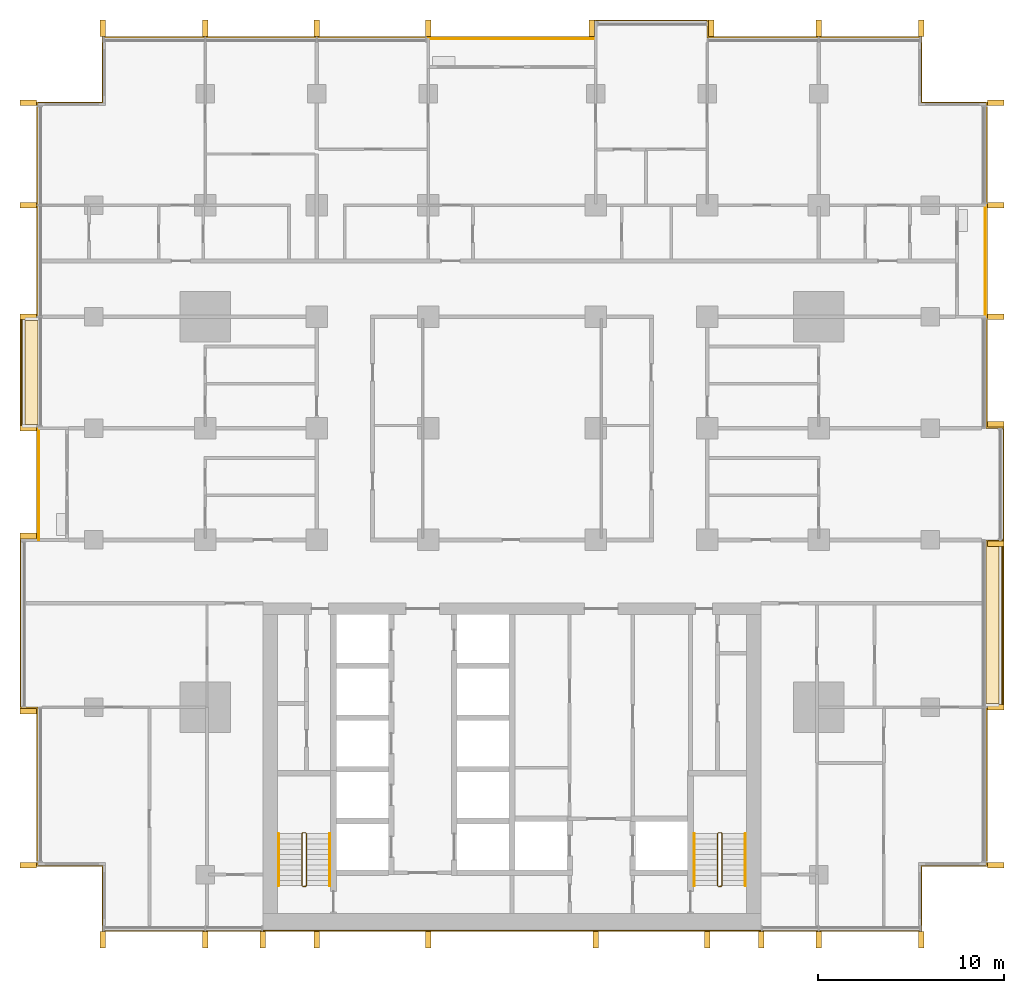
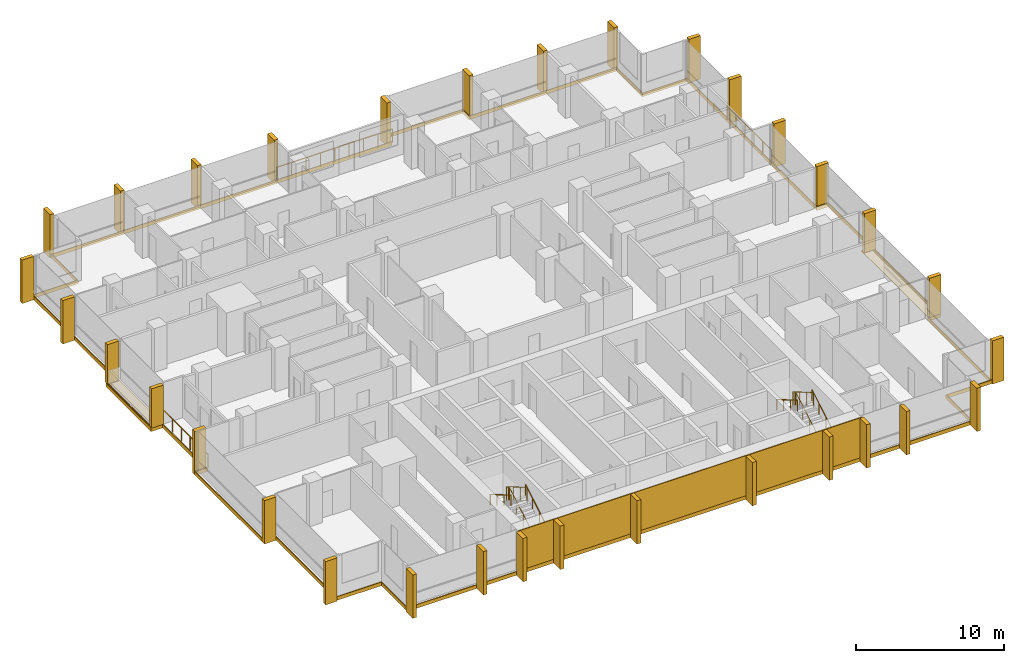
# One storey, part 17 of 17: 32 shading devices, 10 coverings, 9 railings.
"""IFC4 building model written with IfcOpenShell, lengths in metres."""

import ifcopenshell
import ifcopenshell.guid

model = None  # the IFC model being written
_history = None  # IfcOwnerHistory: only IFC2X3 demands one
_inside = {}  # id of a spatial element -> (the spatial element, [elements in it])
_under = {}  # id of a project, library or spatial element -> (it, [spatial elements below it])
_declared = {}  # id of a project -> (the project, [libraries it declares])
_typed = {}  # id of a type object -> (the type object, [elements of that type])
_made_of = {}  # id of a material, layer set ... -> (it, [elements and type objects made of it])


def new_model(schema):
    """Start an empty IFC model of exactly this schema.

    Asked for "IFC4X3", IfcOpenShell would pick the latest addendum, in which some entities
    have other attributes; the version numbers below select the first issue.
    IFC2X3 requires an IfcOwnerHistory on every rooted entity: one is made here for all.
    """
    global model, _history
    if schema == "IFC4X3":
        model = ifcopenshell.file(schema_version=(4, 3, 0, 0))
    else:
        model = ifcopenshell.file(schema=schema)
    _inside.clear()
    _under.clear()
    _declared.clear()
    _typed.clear()
    _made_of.clear()
    _history = None
    if model.schema == "IFC2X3":
        org = make("IfcOrganization", Name="unknown")
        user = make(
            "IfcPersonAndOrganization",
            ThePerson=make("IfcPerson", FamilyName="unknown"),
            TheOrganization=org,
        )
        app = make(
            "IfcApplication",
            ApplicationDeveloper=org,
            Version="unknown",
            ApplicationFullName="unknown",
            ApplicationIdentifier="unknown",
        )
        _history = make(
            "IfcOwnerHistory",
            OwningUser=user,
            OwningApplication=app,
            ChangeAction="ADDED",
            CreationDate=0,
        )
    return model


def make(cls, **values):
    """One entity of the class cls with the attributes given. An attribute that is None is left unset."""
    return model.create_entity(
        cls, **{name: value for name, value in values.items() if value is not None}
    )


def rooted(cls, **values):
    """An entity with a GlobalId (a new one), such as an element, a storey or a relation."""
    return make(cls, GlobalId=ifcopenshell.guid.new(), OwnerHistory=_history, **values)


def si_unit(unit_type, name, prefix=None):
    """IfcSIUnit, for example si_unit("LENGTHUNIT", "METRE", prefix="MILLI")."""
    return make("IfcSIUnit", UnitType=unit_type, Prefix=prefix, Name=name)


def assignment(units):
    """IfcUnitAssignment: the units of a project."""
    return None if units is None else make("IfcUnitAssignment", Units=units)


def point(xyz):
    """IfcCartesianPoint."""
    return None if xyz is None else make("IfcCartesianPoint", Coordinates=xyz)


def direction(xyz):
    """IfcDirection."""
    return None if xyz is None else make("IfcDirection", DirectionRatios=xyz)


def frame(location, z_axis=None, x_axis=None):
    """IfcAxis2Placement3D, a coordinate frame: its origin and axes. An axis left out is left unset."""
    return make(
        "IfcAxis2Placement3D",
        Location=point(location),
        Axis=direction(z_axis),
        RefDirection=direction(x_axis),
    )


def frame_2d(location, x_axis=None):
    """IfcAxis2Placement2D, a coordinate frame in the plane: its origin and x axis."""
    return make(
        "IfcAxis2Placement2D", Location=point(location), RefDirection=direction(x_axis)
    )


def origin():
    """The frame at (0, 0, 0) with its axes left unset."""
    return frame((0.0, 0.0, 0.0))


def origin_2d():
    """The frame at (0, 0) in the plane with its x axis left unset."""
    return frame_2d((0.0, 0.0))


def place(relative_to, where):
    """IfcLocalPlacement: puts the frame where relative to a parent placement (None: the world)."""
    return make(
        "IfcLocalPlacement", PlacementRelTo=relative_to, RelativePlacement=where
    )


def context(
    kind, dimensions, precision=None, world=None, true_north=None, identifier=None
):
    """IfcGeometricRepresentationContext, for example the 3D "Model" context."""
    return make(
        "IfcGeometricRepresentationContext",
        ContextIdentifier=identifier,
        ContextType=kind,
        CoordinateSpaceDimension=dimensions,
        Precision=precision,
        WorldCoordinateSystem=world,
        TrueNorth=true_north,
    )


def subcontext(parent, identifier, kind, view, scale=None):
    """IfcGeometricRepresentationSubContext, for example "Body" below "Model"."""
    return make(
        "IfcGeometricRepresentationSubContext",
        ContextIdentifier=identifier,
        ContextType=kind,
        ParentContext=parent,
        TargetScale=scale,
        TargetView=view,
    )


def project(units=None, contexts=None):
    """IfcProject with its units and contexts."""
    return rooted(
        "IfcProject",
        Name="project",
        RepresentationContexts=contexts,
        UnitsInContext=assignment(units),
    )


def spatial(cls, under=None, at=None, **own):
    """A site, building, storey or space (cls), placed at a placement, below another one or the project."""
    s = rooted(cls, ObjectPlacement=at, **own)
    if under is not None:
        _under.setdefault(under.id(), (under, []))[1].append(s)
    return s


def polyline(points):
    """IfcPolyline through the points."""
    return make("IfcPolyline", Points=[point(p) for p in points])


def profile(cls, at=None, kind="AREA", **sizes):
    """A parametric profile (cls). Its sizes go by their IFC names, for example OverallWidth=200.0."""
    return make(cls, ProfileType=kind, Position=at, **sizes)


def rectangle(**sizes):
    """IfcRectangleProfileDef."""
    return profile("IfcRectangleProfileDef", **sizes)


def circle(**sizes):
    """IfcCircleProfileDef."""
    return profile("IfcCircleProfileDef", **sizes)


def outline(outer, holes=None, kind="AREA"):
    """IfcArbitraryClosedProfileDef: a profile drawn as a closed curve; with holes, ...WithVoids."""
    if holes is None:
        return make("IfcArbitraryClosedProfileDef", ProfileType=kind, OuterCurve=outer)
    return make(
        "IfcArbitraryProfileDefWithVoids",
        ProfileType=kind,
        OuterCurve=outer,
        InnerCurves=holes,
    )


def extrude(swept, where, along, depth):
    """IfcExtrudedAreaSolid: the profile swept, set in the frame where, extruded along a direction by depth."""
    return make(
        "IfcExtrudedAreaSolid",
        SweptArea=swept,
        Position=where,
        ExtrudedDirection=direction(along),
        Depth=depth,
    )


def shape(context_of_items, identifier, shape_type, items):
    """IfcShapeRepresentation: the items that make up one representation, for example the "Body"."""
    return make(
        "IfcShapeRepresentation",
        ContextOfItems=context_of_items,
        RepresentationIdentifier=identifier,
        RepresentationType=shape_type,
        Items=items,
    )


def material(Name=None, Category=None):
    """IfcMaterial."""
    return make("IfcMaterial", Name=Name, Category=Category)


def layer(
    of_material, thickness, ventilated=None, Name=None, Category=None, Priority=None
):
    """IfcMaterialLayer: one layer of a wall or slab, of a material (None: an air gap)."""
    return make(
        "IfcMaterialLayer",
        Material=of_material,
        LayerThickness=thickness,
        IsVentilated=ventilated,
        Name=Name,
        Category=Category,
        Priority=Priority,
    )


def layer_set(layers, Name=None):
    """IfcMaterialLayerSet."""
    return make("IfcMaterialLayerSet", MaterialLayers=layers, LayerSetName=Name)


def made_of(thing, what):
    """Note that an element or type object is made of a material, layer set ...; save() writes the relation."""
    if what is not None:
        _made_of.setdefault(what.id(), (what, []))[1].append(thing)
    return thing


def type_object(cls, material=None, **own):
    """A type object (cls), such as IfcWallType, which elements share."""
    return made_of(rooted(cls, **own), material)


def element(
    cls,
    number,
    at=None,
    inside=None,
    cuts=None,
    type_object=None,
    material=None,
    context=None,
    identifier="Body",
    shape_type=None,
    held_by="IfcProductDefinitionShape",
    body=None,
    shapes=None,
    **own,
):
    """One element of the class cls, such as IfcWall. Its Tag is "e" and its number.

    at: its placement. inside: the storey or other place that contains it. cuts: it is an
    opening in that element (IfcRelVoidsElement). A single representation is given by context,
    identifier, shape_type and body (its items); several are given by shapes. held_by: the class
    of the entity that holds the representations. save() writes the other relations.
    """
    e = rooted(cls, Tag="e%d" % number, ObjectPlacement=at, **own)
    if body is not None:
        shapes = [shape(context, identifier, shape_type, body)]
    if shapes is not None:
        e.Representation = make(held_by, Representations=shapes)
    if inside is not None:
        _inside.setdefault(inside.id(), (inside, []))[1].append(e)
    if cuts is not None:
        rooted(
            "IfcRelVoidsElement", RelatingBuildingElement=cuts, RelatedOpeningElement=e
        )
    if type_object is not None:
        _typed.setdefault(type_object.id(), (type_object, []))[1].append(e)
    return made_of(e, material)


def aggregate(whole, parts):
    """IfcRelAggregates: a whole, such as a stair, and the parts it consists of."""
    return rooted("IfcRelAggregates", RelatingObject=whole, RelatedObjects=parts)


def save(model, path):
    """Write the relations noted so far, then the file.

    IfcRelAggregates (storeys below a building ...), IfcRelContainedInSpatialStructure (elements
    in a storey), IfcRelDefinesByType, IfcRelAssociatesMaterial and IfcRelDeclares: one each for
    every whole, place, type object, material and project.
    """
    for whole, parts in _under.values():
        aggregate(whole, parts)
    for where, things in _inside.values():
        rooted(
            "IfcRelContainedInSpatialStructure",
            RelatedElements=things,
            RelatingStructure=where,
        )
    for kind, things in _typed.values():
        rooted("IfcRelDefinesByType", RelatedObjects=things, RelatingType=kind)
    for what, things in _made_of.values():
        rooted("IfcRelAssociatesMaterial", RelatedObjects=things, RelatingMaterial=what)
    for by, libraries in _declared.values():
        rooted("IfcRelDeclares", RelatingContext=by, RelatedDefinitions=libraries)
    model.write(path)


model = new_model("IFC4")

# Units and contexts
model_context = context("Model", 3, precision=1e-05, world=origin(), true_north=direction((0.0, 1.0)))
body_context = subcontext(model_context, "Body", "Model", "MODEL_VIEW")
ifc_project = project(units=[si_unit("LENGTHUNIT", "METRE"), si_unit("AREAUNIT", "SQUARE_METRE"), si_unit("VOLUMEUNIT", "CUBIC_METRE"), si_unit("PLANEANGLEUNIT", "RADIAN"), si_unit("MASSUNIT", "GRAM", prefix="KILO")], contexts=[model_context])

# Site, building, storey
site_placement = place(None, origin())
site = spatial("IfcSite", under=ifc_project, at=site_placement, CompositionType="ELEMENT")
building_placement = place(site_placement, origin())
building = spatial("IfcBuilding", under=site, at=building_placement, Name="Finial Court Residences", CompositionType="ELEMENT")
storey_placement = place(building_placement, frame((0.0, 0.0, 99.10009765625)))
storey = spatial("IfcBuildingStorey", under=building, at=storey_placement, Name="L24", CompositionType="ELEMENT", Elevation=99.10009765625)

# Railings
ifc_material_1 = material(Name="Bronze anodised aluminium", Category="aluminium")
railing_type_1 = type_object("IfcRailingType", Name="Balcony guard 1100", PredefinedType="GUARDRAIL", material=ifc_material_1)
railing_1_placement = place(storey_placement, frame((-4.5, 22.449951171875, 0.0)))
element("IfcRailing", 1, at=railing_1_placement, inside=storey, type_object=railing_type_1, Name="E-L24-BALN4-R", PredefinedType="GUARDRAIL", context=body_context, shape_type="SweptSolid", body=[
    extrude(circle(Radius=0.02392578125, at=origin_2d()), frame((0.0, 0.0, 1.076171875), z_axis=(1.0, 0.0, 0.0), x_axis=(0.0, 1.0, 0.0)), (0.0, 0.0, 1.0), 9.0),
    extrude(circle(Radius=0.02099609375, at=origin_2d()), origin(), (0.0, 0.0, 1.0), 1.052001953125),
    extrude(circle(Radius=0.02099609375, at=origin_2d()), frame((1.125, 0.0, 0.0)), (0.0, 0.0, 1.0), 1.052001953125),
    extrude(circle(Radius=0.02099609375, at=origin_2d()), frame((2.25, 0.0, 0.0)), (0.0, 0.0, 1.0), 1.052001953125),
    extrude(circle(Radius=0.02099609375, at=origin_2d()), frame((3.375, 0.0, 0.0)), (0.0, 0.0, 1.0), 1.052001953125),
    extrude(circle(Radius=0.02099609375, at=origin_2d()), frame((4.5, 0.0, 0.0)), (0.0, 0.0, 1.0), 1.052001953125),
    extrude(circle(Radius=0.02099609375, at=origin_2d()), frame((5.625, 0.0, 0.0)), (0.0, 0.0, 1.0), 1.052001953125),
    extrude(circle(Radius=0.02099609375, at=origin_2d()), frame((6.75, 0.0, 0.0)), (0.0, 0.0, 1.0), 1.052001953125),
    extrude(circle(Radius=0.02099609375, at=origin_2d()), frame((7.875, 0.0, 0.0)), (0.0, 0.0, 1.0), 1.052001953125),
    extrude(circle(Radius=0.02099609375, at=origin_2d()), frame((9.0, 0.0, 0.0)), (0.0, 0.0, 1.0), 1.052001953125),
])
for number, where, name in (
    (2, (25.449951171875, 7.5, 0.0), "E-L24-BALE5-R"),
    (3, (-25.449951171875, -4.5, 0.0), "E-L24-BALW3-R"),
):
    element("IfcRailing", number, at=place(storey_placement, frame(where)), inside=storey, type_object=railing_type_1, Name=name, PredefinedType="GUARDRAIL", context=body_context, shape_type="SweptSolid", body=[
        extrude(circle(Radius=0.02392578125, at=origin_2d()), frame((0.0, 0.0, 1.076171875), z_axis=(0.0, 1.0, 0.0), x_axis=(-1.0, 0.0, 0.0)), (0.0, 0.0, 1.0), 6.0),
        extrude(circle(Radius=0.02099609375, at=origin_2d()), origin(), (0.0, 0.0, 1.0), 1.052001953125),
        extrude(circle(Radius=0.02099609375, at=origin_2d()), frame((0.0, 1.199951171875, 0.0)), (0.0, 0.0, 1.0), 1.052001953125),
        extrude(circle(Radius=0.02099609375, at=origin_2d()), frame((0.0, 2.39990234375, 0.0)), (0.0, 0.0, 1.0), 1.052001953125),
        extrude(circle(Radius=0.02099609375, at=origin_2d()), frame((0.0, 3.60009765625, 0.0)), (0.0, 0.0, 1.0), 1.052001953125),
        extrude(circle(Radius=0.02099609375, at=origin_2d()), frame((0.0, 4.800048828125, 0.0)), (0.0, 0.0, 1.0), 1.052001953125),
        extrude(circle(Radius=0.02099609375, at=origin_2d()), frame((0.0, 6.0, 0.0)), (0.0, 0.0, 1.0), 1.052001953125),
    ])

# Coverings
ifc_material_2 = material(Name="Natural limestone", Category="masonry")
ifc_layer_1 = layer(ifc_material_2, 0.06005859375)
ifc_layer_set_1 = layer_set([ifc_layer_1], Name="Limestone cladding to the blind core face 60")
covering_type_1 = type_object("IfcCoveringType", Name="Limestone cladding to the blind core face 60", PredefinedType="CLADDING", material=ifc_layer_set_1)
covering_1_placement = place(storey_placement, origin())
element("IfcCovering", 4, at=covering_1_placement, inside=storey, type_object=covering_type_1, Name="E-L24-CLAD1", PredefinedType="CLADDING", context=body_context, shape_type="SweptSolid", body=[
    extrude(outline(polyline([(-10.5, -25.56005859375), (-10.5, -25.5), (-13.39990234375, -25.5), (-13.39990234375, -25.56005859375), (-10.5, -25.56005859375)])), origin(), (0.0, 0.0, 1.0), 3.2998046875),
])
covering_2_placement = place(storey_placement, origin())
element("IfcCovering", 5, at=covering_2_placement, inside=storey, type_object=covering_type_1, Name="E-L24-CLAD2", PredefinedType="CLADDING", context=body_context, shape_type="SweptSolid", body=[
    extrude(outline(polyline([(-4.5, -25.56005859375), (-4.5, -25.5), (-10.5, -25.5), (-10.5, -25.56005859375), (-4.5, -25.56005859375)])), origin(), (0.0, 0.0, 1.0), 3.2998046875),
])
covering_3_placement = place(storey_placement, origin())
element("IfcCovering", 6, at=covering_3_placement, inside=storey, type_object=covering_type_1, Name="E-L24-CLAD3", PredefinedType="CLADDING", context=body_context, shape_type="SweptSolid", body=[
    extrude(outline(polyline([(4.5, -25.56005859375), (4.5, -25.5), (-4.5, -25.5), (-4.5, -25.56005859375), (4.5, -25.56005859375)])), origin(), (0.0, 0.0, 1.0), 3.2998046875),
])
covering_4_placement = place(storey_placement, origin())
element("IfcCovering", 7, at=covering_4_placement, inside=storey, type_object=covering_type_1, Name="E-L24-CLAD4", PredefinedType="CLADDING", context=body_context, shape_type="SweptSolid", body=[
    extrude(outline(polyline([(10.5, -25.56005859375), (10.5, -25.5), (4.5, -25.5), (4.5, -25.56005859375), (10.5, -25.56005859375)])), origin(), (0.0, 0.0, 1.0), 3.2998046875),
])
covering_5_placement = place(storey_placement, origin())
element("IfcCovering", 8, at=covering_5_placement, inside=storey, type_object=covering_type_1, Name="E-L24-CLAD5", PredefinedType="CLADDING", context=body_context, shape_type="SweptSolid", body=[
    extrude(outline(polyline([(13.39990234375, -25.56005859375), (13.39990234375, -25.5), (10.5, -25.5), (10.5, -25.56005859375), (13.39990234375, -25.56005859375)])), origin(), (0.0, 0.0, 1.0), 3.2998046875),
])

# Shading devices
shading_device_type = type_object("IfcShadingDeviceType", Name="Limestone fin 300 x 900", PredefinedType="USERDEFINED", material=ifc_material_2)
for number, where, z_axis, x_axis, name in (
    (9, (-22.0, 23.010009765625, -0.300048828125), (0.0, 0.0, 1.0), (1.0, 0.0, 0.0), "E-L24-FIN-N1"),
    (10, (-16.5, 23.010009765625, -0.300048828125), (0.0, 0.0, 1.0), (1.0, 0.0, 0.0), "E-L24-FIN-N2"),
    (11, (-10.5, 23.010009765625, -0.300048828125), (0.0, 0.0, 1.0), (1.0, 0.0, 0.0), "E-L24-FIN-N3"),
    (12, (-4.5, 23.010009765625, -0.300048828125), (0.0, 0.0, 1.0), (1.0, 0.0, 0.0), "E-L24-FIN-N4"),
    (13, (4.2900390625, 23.010009765625, -0.300048828125), (0.0, 0.0, 1.0), (1.0, 0.0, 0.0), "E-L24-FIN-N5"),
    (14, (10.7099609375, 23.010009765625, -0.300048828125), (0.0, 0.0, 1.0), (1.0, 0.0, 0.0), "E-L24-FIN-N6"),
    (15, (16.5, 23.010009765625, -0.300048828125), (0.0, 0.0, 1.0), (1.0, 0.0, 0.0), "E-L24-FIN-N7"),
    (16, (22.0, 23.010009765625, -0.300048828125), (0.0, 0.0, 1.0), (1.0, 0.0, 0.0), "E-L24-FIN-N8"),
):
    element("IfcShadingDevice", number, at=place(storey_placement, frame(where, z_axis=z_axis, x_axis=x_axis)), inside=storey, type_object=shading_device_type, Name=name, ObjectType="FIN", PredefinedType="USERDEFINED", context=body_context, shape_type="SweptSolid", body=[
        extrude(rectangle(XDim=0.300048828125, YDim=0.89990234375, at=origin_2d()), origin(), (0.0, 0.0, 1.0), 3.580078125),
    ])
shading_device_placement = place(storey_placement, frame((26.010009765625, -22.0, -0.300048828125), z_axis=(0.0, 0.0, 1.0), x_axis=(1.0, 0.0, 0.0)))
element("IfcShadingDevice", 17, at=shading_device_placement, inside=storey, type_object=shading_device_type, Name="E-L24-FIN-E9", ObjectType="FIN", PredefinedType="USERDEFINED", context=body_context, shape_type="SweptSolid", body=[
    extrude(rectangle(XDim=0.89990234375, YDim=0.300048828125, at=origin_2d()), origin(), (0.0, 0.0, 1.0), 3.580078125),
])
for number, where, z_axis, x_axis, name in (
    (18, (26.010009765625, -13.5, 0.0400390625), (0.0, 0.0, 1.0), (1.0, 0.0, 0.0), "E-L24-FIN-E10"),
    (19, (26.010009765625, -4.7099609375, 0.0400390625), (0.0, 0.0, 1.0), (1.0, 0.0, 0.0), "E-L24-FIN-E11"),
):
    element("IfcShadingDevice", number, at=place(storey_placement, frame(where, z_axis=z_axis, x_axis=x_axis)), inside=storey, type_object=shading_device_type, Name=name, ObjectType="FIN", PredefinedType="USERDEFINED", context=body_context, shape_type="SweptSolid", body=[
        extrude(rectangle(XDim=0.89990234375, YDim=0.300048828125, at=origin_2d()), origin(), (0.0, 0.0, 1.0), 3.239990234375),
    ])
for number, where, z_axis, x_axis, name in (
    (20, (26.010009765625, 1.7099609375, -0.300048828125), (0.0, 0.0, 1.0), (1.0, 0.0, 0.0), "E-L24-FIN-E12"),
    (21, (26.010009765625, 7.5, -0.300048828125), (0.0, 0.0, 1.0), (1.0, 0.0, 0.0), "E-L24-FIN-E13"),
    (22, (26.010009765625, 13.5, -0.300048828125), (0.0, 0.0, 1.0), (1.0, 0.0, 0.0), "E-L24-FIN-E14"),
    (23, (26.010009765625, 19.0, -0.300048828125), (0.0, 0.0, 1.0), (1.0, 0.0, 0.0), "E-L24-FIN-E15"),
):
    element("IfcShadingDevice", number, at=place(storey_placement, frame(where, z_axis=z_axis, x_axis=x_axis)), inside=storey, type_object=shading_device_type, Name=name, ObjectType="FIN", PredefinedType="USERDEFINED", context=body_context, shape_type="SweptSolid", body=[
        extrude(rectangle(XDim=0.89990234375, YDim=0.300048828125, at=origin_2d()), origin(), (0.0, 0.0, 1.0), 3.580078125),
    ])
for number, where, z_axis, x_axis, name in (
    (24, (-22.0, -26.010009765625, -0.300048828125), (0.0, 0.0, 1.0), (1.0, 0.0, 0.0), "E-L24-FIN-S16"),
    (25, (-16.5, -26.010009765625, -0.300048828125), (0.0, 0.0, 1.0), (1.0, 0.0, 0.0), "E-L24-FIN-S17"),
    (26, (-13.39990234375, -26.010009765625, -0.300048828125), (0.0, 0.0, 1.0), (1.0, 0.0, 0.0), "E-L24-FIN-S18"),
    (27, (-10.5, -26.010009765625, -0.300048828125), (0.0, 0.0, 1.0), (1.0, 0.0, 0.0), "E-L24-FIN-S19"),
    (28, (-4.5, -26.010009765625, -0.300048828125), (0.0, 0.0, 1.0), (1.0, 0.0, 0.0), "E-L24-FIN-S20"),
    (29, (4.5, -26.010009765625, -0.300048828125), (0.0, 0.0, 1.0), (1.0, 0.0, 0.0), "E-L24-FIN-S21"),
    (30, (10.5, -26.010009765625, -0.300048828125), (0.0, 0.0, 1.0), (1.0, 0.0, 0.0), "E-L24-FIN-S22"),
    (31, (13.39990234375, -26.010009765625, -0.300048828125), (0.0, 0.0, 1.0), (1.0, 0.0, 0.0), "E-L24-FIN-S23"),
    (32, (16.5, -26.010009765625, -0.300048828125), (0.0, 0.0, 1.0), (1.0, 0.0, 0.0), "E-L24-FIN-S24"),
    (33, (22.0, -26.010009765625, -0.300048828125), (0.0, 0.0, 1.0), (1.0, 0.0, 0.0), "E-L24-FIN-S25"),
):
    element("IfcShadingDevice", number, at=place(storey_placement, frame(where, z_axis=z_axis, x_axis=x_axis)), inside=storey, type_object=shading_device_type, Name=name, ObjectType="FIN", PredefinedType="USERDEFINED", context=body_context, shape_type="SweptSolid", body=[
        extrude(rectangle(XDim=0.300048828125, YDim=0.89990234375, at=origin_2d()), origin(), (0.0, 0.0, 1.0), 3.580078125),
    ])
for number, where, z_axis, x_axis, name in (
    (34, (-26.010009765625, -22.0, -0.300048828125), (0.0, 0.0, 1.0), (1.0, 0.0, 0.0), "E-L24-FIN-W26"),
    (35, (-26.010009765625, -13.7099609375, -0.300048828125), (0.0, 0.0, 1.0), (1.0, 0.0, 0.0), "E-L24-FIN-W27"),
    (36, (-26.010009765625, -4.2900390625, -0.300048828125), (0.0, 0.0, 1.0), (1.0, 0.0, 0.0), "E-L24-FIN-W28"),
):
    element("IfcShadingDevice", number, at=place(storey_placement, frame(where, z_axis=z_axis, x_axis=x_axis)), inside=storey, type_object=shading_device_type, Name=name, ObjectType="FIN", PredefinedType="USERDEFINED", context=body_context, shape_type="SweptSolid", body=[
        extrude(rectangle(XDim=0.89990234375, YDim=0.300048828125, at=origin_2d()), origin(), (0.0, 0.0, 1.0), 3.580078125),
    ])
for number, where, z_axis, x_axis, name in (
    (37, (-26.010009765625, 1.5, 0.0400390625), (0.0, 0.0, 1.0), (1.0, 0.0, 0.0), "E-L24-FIN-W29"),
    (38, (-26.010009765625, 7.5, 0.0400390625), (0.0, 0.0, 1.0), (1.0, 0.0, 0.0), "E-L24-FIN-W30"),
):
    element("IfcShadingDevice", number, at=place(storey_placement, frame(where, z_axis=z_axis, x_axis=x_axis)), inside=storey, type_object=shading_device_type, Name=name, ObjectType="FIN", PredefinedType="USERDEFINED", context=body_context, shape_type="SweptSolid", body=[
        extrude(rectangle(XDim=0.89990234375, YDim=0.300048828125, at=origin_2d()), origin(), (0.0, 0.0, 1.0), 3.239990234375),
    ])
for number, where, z_axis, x_axis, name in (
    (39, (-26.010009765625, 13.5, -0.300048828125), (0.0, 0.0, 1.0), (1.0, 0.0, 0.0), "E-L24-FIN-W31"),
    (40, (-26.010009765625, 19.0, -0.300048828125), (0.0, 0.0, 1.0), (1.0, 0.0, 0.0), "E-L24-FIN-W32"),
):
    element("IfcShadingDevice", number, at=place(storey_placement, frame(where, z_axis=z_axis, x_axis=x_axis)), inside=storey, type_object=shading_device_type, Name=name, ObjectType="FIN", PredefinedType="USERDEFINED", context=body_context, shape_type="SweptSolid", body=[
        extrude(rectangle(XDim=0.89990234375, YDim=0.300048828125, at=origin_2d()), origin(), (0.0, 0.0, 1.0), 3.580078125),
    ])

# Coverings
ifc_material_3 = material(Name="Pale limestone", Category="masonry")
ifc_layer_2 = layer(ifc_material_3, 0.06005859375)
ifc_layer_set_2 = layer_set([ifc_layer_2], Name="Pale limestone slab-edge band 60")
covering_type_2 = type_object("IfcCoveringType", Name="Pale limestone slab-edge band 60", PredefinedType="CLADDING", material=ifc_layer_set_2)
covering_6_placement = place(storey_placement, frame((0.0, 0.0, -0.300048828125)))
element("IfcCovering", 41, at=covering_6_placement, inside=storey, type_object=covering_type_2, Name="E-L24-BAND1", PredefinedType="CLADDING", context=body_context, shape_type="SweptSolid", body=[
    extrude(outline(polyline([(22.06005859375, -22.06005859375), (22.06005859375, -25.56005859375), (-22.06005859375, -25.56005859375), (-22.06005859375, -22.06005859375), (-25.56005859375, -22.06005859375), (-25.56005859375, -13.56005859375), (-26.4599609375, -13.56005859375), (-26.4599609375, -4.43994140625), (-25.56005859375, -4.43994140625), (-25.56005859375, 1.43994140625), (-26.4599609375, 1.43994140625), (-26.4599609375, 7.56005859375), (-25.56005859375, 7.56005859375), (-25.56005859375, 19.06005859375), (-22.06005859375, 19.06005859375), (-22.06005859375, 22.56005859375), (4.43994140625, 22.56005859375), (4.43994140625, 23.4599609375), (10.56005859375, 23.4599609375), (10.56005859375, 22.56005859375), (22.06005859375, 22.56005859375), (22.06005859375, 19.06005859375), (25.56005859375, 19.06005859375), (25.56005859375, 1.56005859375), (26.4599609375, 1.56005859375), (26.4599609375, -13.56005859375), (25.56005859375, -13.56005859375), (25.56005859375, -22.06005859375), (22.06005859375, -22.06005859375)]), holes=[polyline([(25.5, -13.5), (26.39990234375, -13.5), (26.39990234375, -4.5), (26.39990234375, 1.5), (25.5, 1.5), (25.5, 7.5), (25.5, 13.5), (25.5, 19.0), (22.0, 19.0), (22.0, 22.5), (10.5, 22.5), (10.5, 23.39990234375), (4.5, 23.39990234375), (4.5, 22.5), (-4.5, 22.5), (-22.0, 22.5), (-22.0, 19.0), (-25.5, 19.0), (-25.5, 7.5), (-26.39990234375, 7.5), (-26.39990234375, 1.5), (-25.5, 1.5), (-25.5, -4.5), (-26.39990234375, -4.5), (-26.39990234375, -13.5), (-25.5, -13.5), (-25.5, -22.0), (-22.0, -22.0), (-22.0, -25.5), (22.0, -25.5), (22.0, -22.0), (25.5, -22.0), (25.5, -13.5)])]), origin(), (0.0, 0.0, 1.0), 0.300048828125),
])
ifc_material_4 = material(Name="Bitumen membrane")
ifc_layer_3 = layer(ifc_material_4, 0.0400390625)
ifc_layer_set_3 = layer_set([ifc_layer_3], Name="Push box roofing, bitumen membrane 40")
covering_type_3 = type_object("IfcCoveringType", Name="Push box roofing, bitumen membrane 40", PredefinedType="ROOFING", material=ifc_layer_set_3)
covering_7_placement = place(storey_placement, origin())
element("IfcCovering", 42, at=covering_7_placement, inside=storey, type_object=covering_type_3, Name="E-L24-LED1", PredefinedType="ROOFING", context=body_context, shape_type="SweptSolid", body=[
    extrude(outline(polyline([(-25.5, 7.449951171875), (-26.199951171875, 7.449951171875), (-26.35009765625, 7.449951171875), (-26.35009765625, 1.699951171875), (-26.35009765625, 1.699951171875), (-26.35009765625, 1.550048828125), (-25.5, 1.550048828125), (-25.5, 1.5), (-26.39990234375, 1.5), (-26.39990234375, 7.5), (-25.5, 7.5), (-25.5, 7.449951171875)])), origin(), (0.0, 0.0, 1.0), 0.039794921875),
])
covering_8_placement = place(storey_placement, origin())
element("IfcCovering", 43, at=covering_8_placement, inside=storey, type_object=covering_type_3, Name="E-L24-LED1b", PredefinedType="ROOFING", context=body_context, shape_type="SweptSolid", body=[
    extrude(outline(polyline([(-25.5, 1.699951171875), (-26.199951171875, 1.699951171875), (-26.199951171875, 7.300048828125), (-25.5, 7.300048828125), (-25.5, 1.699951171875)])), origin(), (0.0, 0.0, 1.0), 0.039794921875),
])
covering_9_placement = place(storey_placement, origin())
element("IfcCovering", 44, at=covering_9_placement, inside=storey, type_object=covering_type_3, Name="E-L24-LED2", PredefinedType="ROOFING", context=body_context, shape_type="SweptSolid", body=[
    extrude(outline(polyline([(25.5, -13.449951171875), (26.199951171875, -13.449951171875), (26.35009765625, -13.449951171875), (26.35009765625, -4.5), (26.39990234375, -4.5), (26.39990234375, -13.5), (25.5, -13.5), (25.5, -13.449951171875)])), origin(), (0.0, 0.0, 1.0), 0.039794921875),
])
covering_10_placement = place(storey_placement, origin())
element("IfcCovering", 45, at=covering_10_placement, inside=storey, type_object=covering_type_3, Name="E-L24-LED2b", PredefinedType="ROOFING", context=body_context, shape_type="SweptSolid", body=[
    extrude(outline(polyline([(25.5, -4.5), (26.199951171875, -4.5), (26.199951171875, -13.300048828125), (25.5, -13.300048828125), (25.5, -4.5)])), origin(), (0.0, 0.0, 1.0), 0.039794921875),
])

# Railings
ifc_material_5 = material(Name="Stainless steel railing", Category="steel")
railing_type_2 = type_object("IfcRailingType", Name="Stair guard 1100", PredefinedType="GUARDRAIL", material=ifc_material_5)
railing_2_placement = place(storey_placement, frame((-11.10009765625, -23.14990234375, 0.0)))
element("IfcRailing", 46, at=railing_2_placement, inside=storey, type_object=railing_type_2, Name="L24 ST-1 stair guard 1", PredefinedType="GUARDRAIL", context=body_context, shape_type="SweptSolid", body=[
    extrude(circle(Radius=0.02392578125, at=origin_2d()), frame((0.0, 0.0, 1.076171875), z_axis=(-1.0, 0.0, 0.0), x_axis=(0.0, -1.0, 0.0)), (0.0, 0.0, 1.0), 0.14990234375),
    extrude(circle(Radius=0.02392578125, at=origin_2d()), frame((-0.14990234375, 0.0, 1.076171875), z_axis=(0.760004195007, 0.189305074214, 0.621737253547), x_axis=(-0.241699205484, 0.970351222016, 0.0)), (0.0, 0.0, 1.0), 0.26318359375),
    extrude(circle(Radius=0.02392578125, at=origin_2d()), frame((0.050048828125, 0.0498046875, 1.23974609375), z_axis=(0.0, 0.863393664356, 0.504530851732), x_axis=(-1.0, 0.0, 0.0)), (0.0, 0.0, 1.0), 3.2431640625),
    extrude(circle(Radius=0.02392578125, at=origin_2d()), frame((0.050048828125, 2.849853515625, 2.8759765625), z_axis=(-0.707106781187, 0.707106781187, 0.0), x_axis=(-0.707106781187, -0.707106781187, 0.0)), (0.0, 0.0, 1.0), 0.07080078125),
    extrude(circle(Radius=0.02392578125, at=origin_2d()), frame((0.0, 2.89990234375, 2.8759765625), z_axis=(-1.0, 0.0, 0.0), x_axis=(0.0, -1.0, 0.0)), (0.0, 0.0, 1.0), 0.14990234375),
    extrude(circle(Radius=0.02392578125, at=origin_2d()), frame((-0.14990234375, 2.89990234375, 2.8759765625), z_axis=(-0.280456126637, -0.280456126637, 0.917980785237), x_axis=(0.707106781187, -0.707106781187, 0.0)), (0.0, 0.0, 1.0), 0.178466796875),
    extrude(circle(Radius=0.02392578125, at=origin_2d()), frame((-0.199951171875, 2.849853515625, 3.03955078125), z_axis=(0.0, -0.863393664356, 0.504530851732), x_axis=(1.0, 0.0, 0.0)), (0.0, 0.0, 1.0), 3.2431640625),
    extrude(circle(Radius=0.02099609375, at=origin_2d()), origin(), (0.0, 0.0, 1.0), 1.052001953125),
    extrude(circle(Radius=0.02099609375, at=origin_2d()), frame((-0.14990234375, 0.0, 0.0)), (0.0, 0.0, 1.0), 1.052001953125),
    extrude(circle(Radius=0.02099609375, at=origin_2d()), frame((0.050048828125, 0.0498046875, 0.16357421875)), (0.0, 0.0, 1.0), 1.052001953125),
    extrude(circle(Radius=0.02099609375, at=origin_2d()), frame((0.050048828125, 0.983154296875, 0.708984375)), (0.0, 0.0, 1.0), 1.052001953125),
    extrude(circle(Radius=0.02099609375, at=origin_2d()), frame((0.050048828125, 1.91650390625, 1.25439453125)), (0.0, 0.0, 1.0), 1.052001953125),
    extrude(circle(Radius=0.02099609375, at=origin_2d()), frame((0.050048828125, 2.849853515625, 1.7998046875)), (0.0, 0.0, 1.0), 1.052001953125),
    extrude(circle(Radius=0.02099609375, at=origin_2d()), frame((0.0, 2.89990234375, 1.7998046875)), (0.0, 0.0, 1.0), 1.052001953125),
    extrude(circle(Radius=0.02099609375, at=origin_2d()), frame((-0.14990234375, 2.89990234375, 1.7998046875)), (0.0, 0.0, 1.0), 1.052001953125),
    extrude(circle(Radius=0.02099609375, at=origin_2d()), frame((-0.199951171875, 2.849853515625, 1.963623046875)), (0.0, 0.0, 1.0), 1.052001953125),
    extrude(circle(Radius=0.02099609375, at=origin_2d()), frame((-0.199951171875, 1.91650390625, 2.509033203125)), (0.0, 0.0, 1.0), 1.052001953125),
    extrude(circle(Radius=0.02099609375, at=origin_2d()), frame((-0.199951171875, 0.983154296875, 3.054443359375)), (0.0, 0.0, 1.0), 1.052001953125),
    extrude(circle(Radius=0.02099609375, at=origin_2d()), frame((-0.199951171875, 0.0498046875, 3.599853515625)), (0.0, 0.0, 1.0), 1.052001953125),
])
railing_3_placement = place(storey_placement, frame((11.25, -23.14990234375, 0.0)))
element("IfcRailing", 47, at=railing_3_placement, inside=storey, type_object=railing_type_2, Name="L24 ST-2 stair guard 1", PredefinedType="GUARDRAIL", context=body_context, shape_type="SweptSolid", body=[
    extrude(circle(Radius=0.02392578125, at=origin_2d()), frame((0.0, 0.0, 1.076171875), z_axis=(-1.0, 0.0, 0.0), x_axis=(0.0, -1.0, 0.0)), (0.0, 0.0, 1.0), 0.14990234375),
    extrude(circle(Radius=0.02392578125, at=origin_2d()), frame((-0.14990234375, 0.0, 1.076171875), z_axis=(0.760004195007, 0.189305074214, 0.621737253547), x_axis=(-0.241699205484, 0.970351222016, 0.0)), (0.0, 0.0, 1.0), 0.26318359375),
    extrude(circle(Radius=0.02392578125, at=origin_2d()), frame((0.050048828125, 0.0498046875, 1.23974609375), z_axis=(0.0, 0.863393664356, 0.504530851732), x_axis=(-1.0, 0.0, 0.0)), (0.0, 0.0, 1.0), 3.2431640625),
    extrude(circle(Radius=0.02392578125, at=origin_2d()), frame((0.050048828125, 2.849853515625, 2.8759765625), z_axis=(-0.707106781187, 0.707106781187, 0.0), x_axis=(-0.707106781187, -0.707106781187, 0.0)), (0.0, 0.0, 1.0), 0.07080078125),
    extrude(circle(Radius=0.02392578125, at=origin_2d()), frame((0.0, 2.89990234375, 2.8759765625), z_axis=(-1.0, 0.0, 0.0), x_axis=(0.0, -1.0, 0.0)), (0.0, 0.0, 1.0), 0.14990234375),
    extrude(circle(Radius=0.02392578125, at=origin_2d()), frame((-0.14990234375, 2.89990234375, 2.8759765625), z_axis=(-0.280456126637, -0.280456126637, 0.917980785237), x_axis=(0.707106781187, -0.707106781187, 0.0)), (0.0, 0.0, 1.0), 0.178466796875),
    extrude(circle(Radius=0.02392578125, at=origin_2d()), frame((-0.199951171875, 2.849853515625, 3.03955078125), z_axis=(0.0, -0.863393664356, 0.504530851732), x_axis=(1.0, 0.0, 0.0)), (0.0, 0.0, 1.0), 3.2431640625),
    extrude(circle(Radius=0.02099609375, at=origin_2d()), origin(), (0.0, 0.0, 1.0), 1.052001953125),
    extrude(circle(Radius=0.02099609375, at=origin_2d()), frame((-0.14990234375, 0.0, 0.0)), (0.0, 0.0, 1.0), 1.052001953125),
    extrude(circle(Radius=0.02099609375, at=origin_2d()), frame((0.050048828125, 0.0498046875, 0.16357421875)), (0.0, 0.0, 1.0), 1.052001953125),
    extrude(circle(Radius=0.02099609375, at=origin_2d()), frame((0.050048828125, 0.983154296875, 0.708984375)), (0.0, 0.0, 1.0), 1.052001953125),
    extrude(circle(Radius=0.02099609375, at=origin_2d()), frame((0.050048828125, 1.91650390625, 1.25439453125)), (0.0, 0.0, 1.0), 1.052001953125),
    extrude(circle(Radius=0.02099609375, at=origin_2d()), frame((0.050048828125, 2.849853515625, 1.7998046875)), (0.0, 0.0, 1.0), 1.052001953125),
    extrude(circle(Radius=0.02099609375, at=origin_2d()), frame((0.0, 2.89990234375, 1.7998046875)), (0.0, 0.0, 1.0), 1.052001953125),
    extrude(circle(Radius=0.02099609375, at=origin_2d()), frame((-0.14990234375, 2.89990234375, 1.7998046875)), (0.0, 0.0, 1.0), 1.052001953125),
    extrude(circle(Radius=0.02099609375, at=origin_2d()), frame((-0.199951171875, 2.849853515625, 1.963623046875)), (0.0, 0.0, 1.0), 1.052001953125),
    extrude(circle(Radius=0.02099609375, at=origin_2d()), frame((-0.199951171875, 1.91650390625, 2.509033203125)), (0.0, 0.0, 1.0), 1.052001953125),
    extrude(circle(Radius=0.02099609375, at=origin_2d()), frame((-0.199951171875, 0.983154296875, 3.054443359375)), (0.0, 0.0, 1.0), 1.052001953125),
    extrude(circle(Radius=0.02099609375, at=origin_2d()), frame((-0.199951171875, 0.0498046875, 3.599853515625)), (0.0, 0.0, 1.0), 1.052001953125),
])
railing_type_3 = type_object("IfcRailingType", Name="Stair handrail 900", PredefinedType="HANDRAIL", material=ifc_material_5)
railing_4_placement = place(storey_placement, frame((-9.800048828125, -23.10009765625, 0.16357421875)))
element("IfcRailing", 48, at=railing_4_placement, inside=storey, type_object=railing_type_3, Name="L24 ST-1 stair handrail 1", PredefinedType="HANDRAIL", context=body_context, shape_type="SweptSolid", body=[
    extrude(circle(Radius=0.02392578125, at=origin_2d()), frame((0.0, 0.0, 0.8759765625), z_axis=(0.0, 0.863393664356, 0.504530851732), x_axis=(-1.0, 0.0, 0.0)), (0.0, 0.0, 1.0), 3.2431640625),
    extrude(circle(Radius=0.02099609375, at=origin_2d()), origin(), (0.0, 0.0, 1.0), 0.851806640625),
    extrude(circle(Radius=0.02099609375, at=origin_2d()), frame((0.0, 0.933349609375, 0.54541015625)), (0.0, 0.0, 1.0), 0.851806640625),
    extrude(circle(Radius=0.02099609375, at=origin_2d()), frame((0.0, 1.86669921875, 1.0908203125)), (0.0, 0.0, 1.0), 0.851806640625),
    extrude(circle(Radius=0.02099609375, at=origin_2d()), frame((0.0, 2.800048828125, 1.63623046875)), (0.0, 0.0, 1.0), 0.851806640625),
])
railing_5_placement = place(storey_placement, frame((-12.550048828125, -20.300048828125, 1.963623046875)))
element("IfcRailing", 49, at=railing_5_placement, inside=storey, type_object=railing_type_3, Name="L24 ST-1 stair handrail 2", PredefinedType="HANDRAIL", context=body_context, shape_type="SweptSolid", body=[
    extrude(circle(Radius=0.02392578125, at=origin_2d()), frame((0.0, 0.0, 0.8759765625), z_axis=(0.0, -0.863393664356, 0.504530851732), x_axis=(1.0, 0.0, 0.0)), (0.0, 0.0, 1.0), 3.2431640625),
    extrude(circle(Radius=0.02099609375, at=origin_2d()), origin(), (0.0, 0.0, 1.0), 0.851806640625),
    extrude(circle(Radius=0.02099609375, at=origin_2d()), frame((0.0, -0.933349609375, 0.54541015625)), (0.0, 0.0, 1.0), 0.851806640625),
    extrude(circle(Radius=0.02099609375, at=origin_2d()), frame((0.0, -1.86669921875, 1.0908203125)), (0.0, 0.0, 1.0), 0.851806640625),
    extrude(circle(Radius=0.02099609375, at=origin_2d()), frame((0.0, -2.800048828125, 1.63623046875)), (0.0, 0.0, 1.0), 0.851806640625),
])
railing_6_placement = place(storey_placement, frame((12.550048828125, -23.10009765625, 0.16357421875)))
element("IfcRailing", 50, at=railing_6_placement, inside=storey, type_object=railing_type_3, Name="L24 ST-2 stair handrail 1", PredefinedType="HANDRAIL", context=body_context, shape_type="SweptSolid", body=[
    extrude(circle(Radius=0.02392578125, at=origin_2d()), frame((0.0, 0.0, 0.8759765625), z_axis=(0.0, 0.863393664356, 0.504530851732), x_axis=(-1.0, 0.0, 0.0)), (0.0, 0.0, 1.0), 3.2431640625),
    extrude(circle(Radius=0.02099609375, at=origin_2d()), origin(), (0.0, 0.0, 1.0), 0.851806640625),
    extrude(circle(Radius=0.02099609375, at=origin_2d()), frame((0.0, 0.933349609375, 0.54541015625)), (0.0, 0.0, 1.0), 0.851806640625),
    extrude(circle(Radius=0.02099609375, at=origin_2d()), frame((0.0, 1.86669921875, 1.0908203125)), (0.0, 0.0, 1.0), 0.851806640625),
    extrude(circle(Radius=0.02099609375, at=origin_2d()), frame((0.0, 2.800048828125, 1.63623046875)), (0.0, 0.0, 1.0), 0.851806640625),
])
railing_7_placement = place(storey_placement, frame((9.800048828125, -20.300048828125, 1.963623046875)))
element("IfcRailing", 51, at=railing_7_placement, inside=storey, type_object=railing_type_3, Name="L24 ST-2 stair handrail 2", PredefinedType="HANDRAIL", context=body_context, shape_type="SweptSolid", body=[
    extrude(circle(Radius=0.02392578125, at=origin_2d()), frame((0.0, 0.0, 0.8759765625), z_axis=(0.0, -0.863393664356, 0.504530851732), x_axis=(1.0, 0.0, 0.0)), (0.0, 0.0, 1.0), 3.2431640625),
    extrude(circle(Radius=0.02099609375, at=origin_2d()), origin(), (0.0, 0.0, 1.0), 0.851806640625),
    extrude(circle(Radius=0.02099609375, at=origin_2d()), frame((0.0, -0.933349609375, 0.54541015625)), (0.0, 0.0, 1.0), 0.851806640625),
    extrude(circle(Radius=0.02099609375, at=origin_2d()), frame((0.0, -1.86669921875, 1.0908203125)), (0.0, 0.0, 1.0), 0.851806640625),
    extrude(circle(Radius=0.02099609375, at=origin_2d()), frame((0.0, -2.800048828125, 1.63623046875)), (0.0, 0.0, 1.0), 0.851806640625),
])

save(model, "model.ifc")
